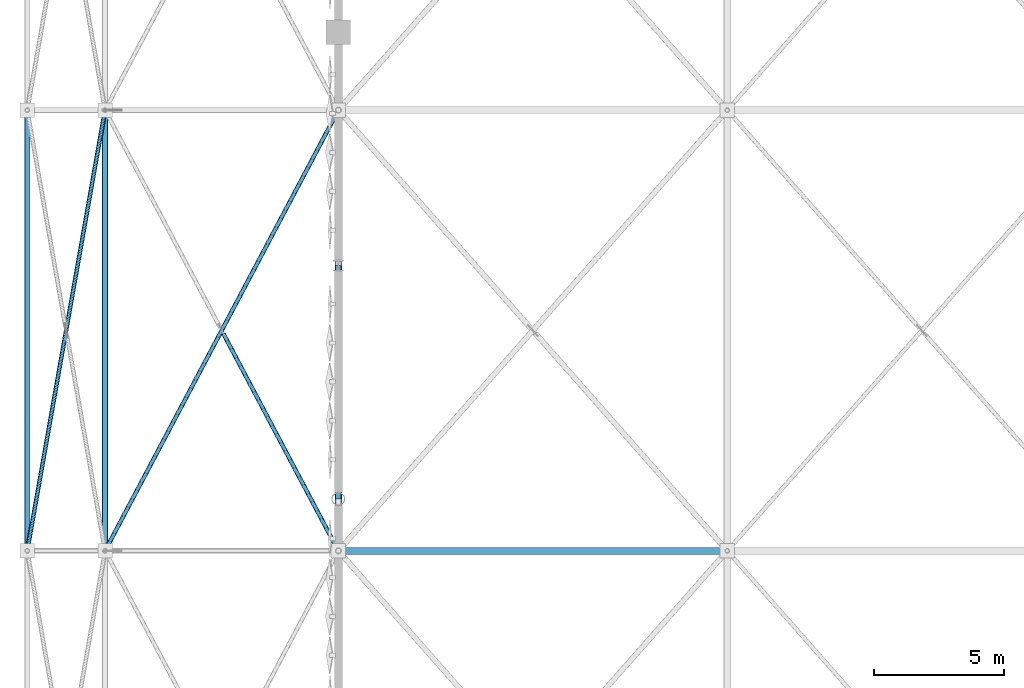
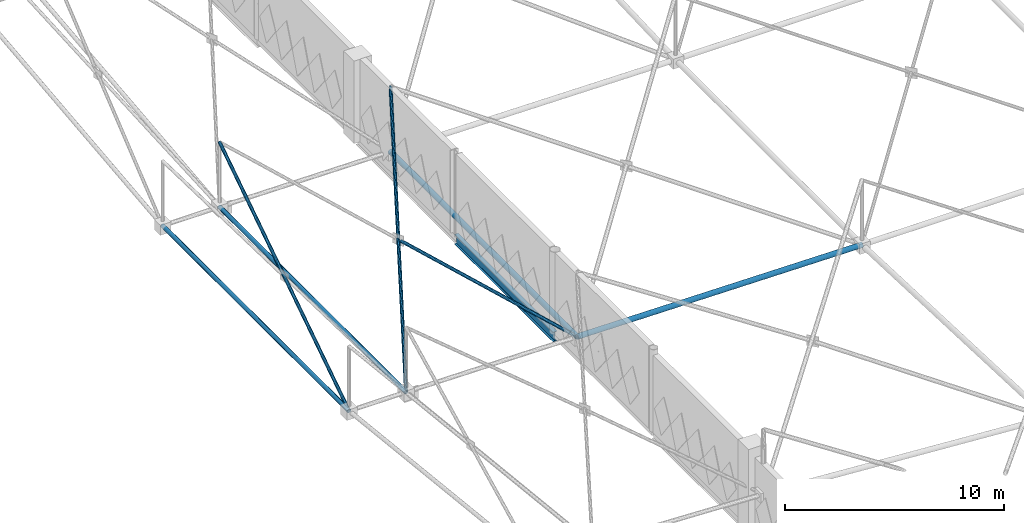
# One storey, part 34 of 224: 7 members, 1 beam.
"""IFC4 building model written with IfcOpenShell, lengths in metres."""

from ifc_helpers import new_model, si_unit, direction, frame, origin, origin_2d, place, context, subcontext, project, spatial, hollow_circle, i_section, extrude, material, material_profile, profile_set, type_object, element, save


model = new_model("IFC4")

# Units and contexts
model_context = context("Model", 3, precision=1e-05, world=origin(), true_north=direction((0.0, 1.0)))
body_context = subcontext(model_context, "Body", "Model", "MODEL_VIEW")
ifc_project = project(units=[si_unit("LENGTHUNIT", "METRE"), si_unit("AREAUNIT", "SQUARE_METRE"), si_unit("VOLUMEUNIT", "CUBIC_METRE"), si_unit("PLANEANGLEUNIT", "RADIAN"), si_unit("MASSUNIT", "GRAM", prefix="KILO")], contexts=[model_context])

# Site, building, storey
site_placement = place(None, origin())
site = spatial("IfcSite", under=ifc_project, at=site_placement, CompositionType="ELEMENT")
building_placement = place(site_placement, origin())
building = spatial("IfcBuilding", under=site, at=building_placement, Name="Qamarlyn Nura Convention Centre", CompositionType="ELEMENT")
storey_placement = place(building_placement, frame((0.0, 0.0, 10.800048828125)))
storey = spatial("IfcBuildingStorey", under=building, at=storey_placement, Name="L02", CompositionType="ELEMENT", Elevation=10.800048828125)

# Beam
ifc_material_1 = material(Name="Steel ASTM A992", Category="steel")
ifc_material_profile_1 = material_profile(ifc_material_1, i_section(OverallWidth=0.2109375, OverallDepth=0.5390625, WebThickness=0.01171875, FlangeThickness=0.018798828125, FilletRadius=0.013916015625, at=origin_2d()), Name="W530X109")
ifc_profile_set_1 = profile_set([ifc_material_profile_1], Name="Steel ASTM A992")
beam_type = type_object("IfcBeamType", Name="BM-SPAN-530", PredefinedType="SPANDREL", material=ifc_profile_set_1)
beam_placement = place(storey_placement, frame((0.0, 54.0, -0.26953125), z_axis=(0.0, 1.0, 0.0), x_axis=(-1.0, 0.0, 0.0)))
element("IfcBeam", 1, at=beam_placement, inside=storey, type_object=beam_type, Name="L02 girder 1 G-H", PredefinedType="SPANDREL", context=body_context, shape_type="SweptSolid", body=[
    extrude(i_section(OverallWidth=0.2109375, OverallDepth=0.5390625, WebThickness=0.01171875, FlangeThickness=0.018798828125, FilletRadius=0.013916015625, at=origin_2d()), origin(), (0.0, 0.0, 1.0), 9.0),
])

# Members
ifc_material_2 = material(Name="Pearl-white PVDF steel ASTM A500 Grade C", Category="steel")
ifc_material_profile_2 = material_profile(ifc_material_2, hollow_circle(Radius=0.109619140625, WallThickness=0.010009765625, at=origin_2d()), Name="CHS219.1X10")
ifc_profile_set_2 = profile_set([ifc_material_profile_2], Name="Pearl-white PVDF steel ASTM A500 Grade C")
member_type_1 = type_object("IfcMemberType", Name="SF-BC-EAVE", PredefinedType="CHORD", material=ifc_profile_set_2)
for number, where, z_axis, x_axis, name in (
    (2, (-12.0, 52.0, 1.0107421875), (0.0, 1.0, 0.0), (-1.0, 0.0, 0.0), "ROOF TRUSS space frame bottom chord Y0-4"),
    (3, (-9.0, 52.0, 1.005615234375), (0.0, 1.0, 0.0), (-1.0, 0.0, 0.0), "ROOF TRUSS space frame bottom chord Y1-4"),
):
    element("IfcMember", number, at=place(storey_placement, frame(where, z_axis=z_axis, x_axis=x_axis)), inside=storey, type_object=member_type_1, Name=name, PredefinedType="CHORD", context=body_context, shape_type="SweptSolid", body=[
        extrude(hollow_circle(Radius=0.109619140625, WallThickness=0.010009765625, at=origin_2d()), origin(), (0.0, 0.0, 1.0), 17.0),
    ])
ifc_material_profile_3 = material_profile(ifc_material_2, hollow_circle(Radius=0.136474609375, WallThickness=0.012451171875, at=origin_2d()), Name="CHS273X12.5")
ifc_profile_set_3 = profile_set([ifc_material_profile_3], Name="Pearl-white PVDF steel ASTM A500 Grade C")
member_type_2 = type_object("IfcMemberType", Name="SF-BC-MAIN", PredefinedType="CHORD", material=ifc_profile_set_3)
member_1_placement = place(storey_placement, frame((0.0, 52.0, 0.937255859375), z_axis=(0.999958908574, 0.0, -0.009065382684), x_axis=(0.0, 1.0, 0.0)))
element("IfcMember", 4, at=member_1_placement, inside=storey, type_object=member_type_2, Name="ROOF TRUSS space frame bottom chord X2-4", PredefinedType="CHORD", context=body_context, shape_type="SweptSolid", body=[
    extrude(hollow_circle(Radius=0.136474609375, WallThickness=0.012451171875, at=origin_2d()), origin(), (0.0, 0.0, 1.0), 15.000732421875),
])
member_2_placement = place(storey_placement, frame((0.0, 52.0, 0.937255859375), z_axis=(0.0, 1.0, 0.0), x_axis=(-1.0, 0.0, 0.0)))
element("IfcMember", 5, at=member_2_placement, inside=storey, type_object=member_type_2, Name="ROOF TRUSS space frame bottom chord Y2-4", PredefinedType="CHORD", context=body_context, shape_type="SweptSolid", body=[
    extrude(hollow_circle(Radius=0.136474609375, WallThickness=0.012451171875, at=origin_2d()), origin(), (0.0, 0.0, 1.0), 17.0),
])
ifc_material_profile_4 = material_profile(ifc_material_2, hollow_circle(Radius=0.084228515625, WallThickness=0.008056640625, at=origin_2d()), Name="CHS168.3X8")
ifc_profile_set_4 = profile_set([ifc_material_profile_4], Name="Pearl-white PVDF steel ASTM A500 Grade C")
member_type_3 = type_object("IfcMemberType", Name="SF-WEB-STD", PredefinedType="BRACE", material=ifc_profile_set_4)
member_3_placement = place(storey_placement, frame((-12.0, 52.0, 1.0107421875), z_axis=(0.170135713665, 0.964102377437, 0.203863789714), x_axis=(-0.984783558818, 0.173785333909, 0.0)))
element("IfcMember", 6, at=member_3_placement, inside=storey, type_object=member_type_3, Name="ROOF TRUSS space frame diagonal A 0-4", PredefinedType="BRACE", context=body_context, shape_type="SweptSolid", body=[
    extrude(hollow_circle(Radius=0.084228515625, WallThickness=0.008056640625, at=origin_2d()), origin(), (0.0, 0.0, 1.0), 17.633056640625),
])
member_4_placement = place(storey_placement, frame((-9.0, 52.0, 1.005615234375), z_axis=(0.460195130326, 0.869257468394, 0.180587639846), x_axis=(-0.883787916347, 0.467887720419, 0.0)))
element("IfcMember", 7, at=member_4_placement, inside=storey, type_object=member_type_3, Name="ROOF TRUSS space frame diagonal A 1-4", PredefinedType="BRACE", context=body_context, shape_type="SweptSolid", body=[
    extrude(hollow_circle(Radius=0.084228515625, WallThickness=0.008056640625, at=origin_2d()), origin(), (0.0, 0.0, 1.0), 19.556884765625),
])
member_5_placement = place(storey_placement, frame((0.0, 52.0, 0.937255859375), z_axis=(-0.459615950311, 0.868132543495, 0.187347444989), x_axis=(-0.883781025665, -0.46790073592, 0.0)))
element("IfcMember", 8, at=member_5_placement, inside=storey, type_object=member_type_3, Name="ROOF TRUSS space frame split diagonal B1 1-4", PredefinedType="BRACE", context=body_context, shape_type="SweptSolid", body=[
    extrude(hollow_circle(Radius=0.084228515625, WallThickness=0.008056640625, at=origin_2d()), origin(), (0.0, 0.0, 1.0), 9.651123046875),
])

save(model, "model.ifc")
